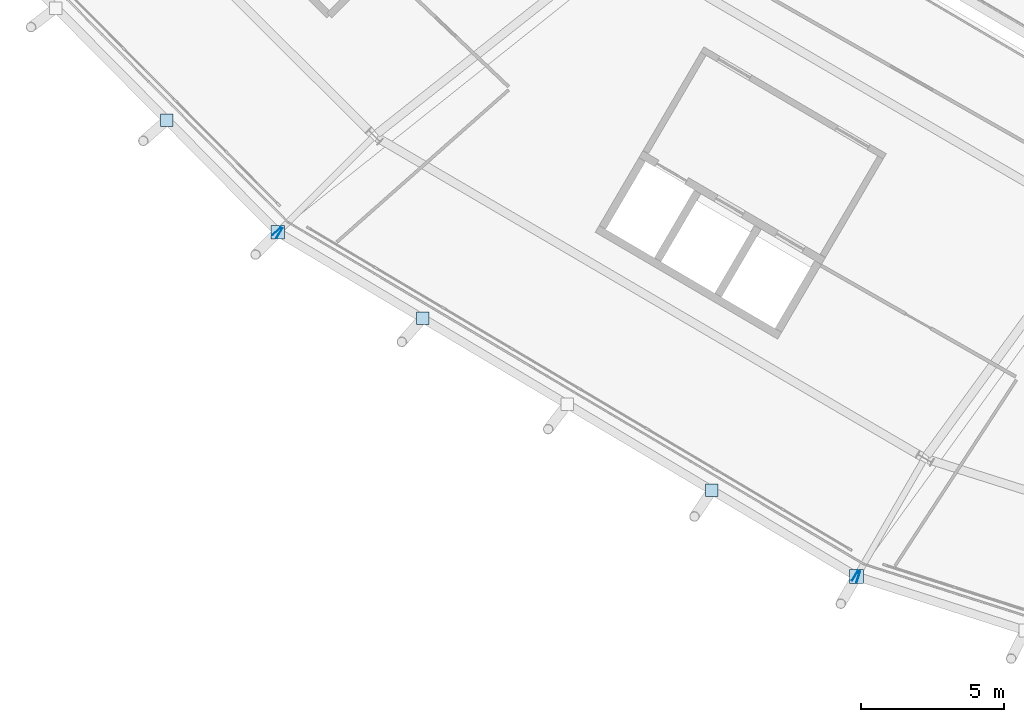
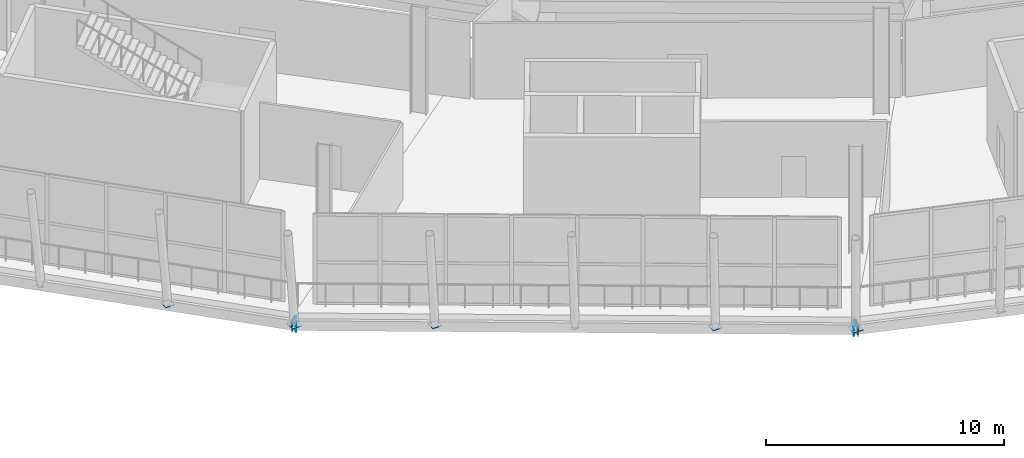
# One storey, part 73 of 126: 9 plates.
"""IFC4 building model written with IfcOpenShell, lengths in metres."""

import ifcopenshell
import ifcopenshell.guid

model = None  # the IFC model being written
_history = None  # IfcOwnerHistory: only IFC2X3 demands one
_inside = {}  # id of a spatial element -> (the spatial element, [elements in it])
_under = {}  # id of a project, library or spatial element -> (it, [spatial elements below it])
_declared = {}  # id of a project -> (the project, [libraries it declares])
_typed = {}  # id of a type object -> (the type object, [elements of that type])
_made_of = {}  # id of a material, layer set ... -> (it, [elements and type objects made of it])


def new_model(schema):
    """Start an empty IFC model of exactly this schema.

    Asked for "IFC4X3", IfcOpenShell would pick the latest addendum, in which some entities
    have other attributes; the version numbers below select the first issue.
    IFC2X3 requires an IfcOwnerHistory on every rooted entity: one is made here for all.
    """
    global model, _history
    if schema == "IFC4X3":
        model = ifcopenshell.file(schema_version=(4, 3, 0, 0))
    else:
        model = ifcopenshell.file(schema=schema)
    _inside.clear()
    _under.clear()
    _declared.clear()
    _typed.clear()
    _made_of.clear()
    _history = None
    if model.schema == "IFC2X3":
        org = make("IfcOrganization", Name="unknown")
        user = make(
            "IfcPersonAndOrganization",
            ThePerson=make("IfcPerson", FamilyName="unknown"),
            TheOrganization=org,
        )
        app = make(
            "IfcApplication",
            ApplicationDeveloper=org,
            Version="unknown",
            ApplicationFullName="unknown",
            ApplicationIdentifier="unknown",
        )
        _history = make(
            "IfcOwnerHistory",
            OwningUser=user,
            OwningApplication=app,
            ChangeAction="ADDED",
            CreationDate=0,
        )
    return model


def make(cls, **values):
    """One entity of the class cls with the attributes given. An attribute that is None is left unset."""
    return model.create_entity(
        cls, **{name: value for name, value in values.items() if value is not None}
    )


def rooted(cls, **values):
    """An entity with a GlobalId (a new one), such as an element, a storey or a relation."""
    return make(cls, GlobalId=ifcopenshell.guid.new(), OwnerHistory=_history, **values)


def si_unit(unit_type, name, prefix=None):
    """IfcSIUnit, for example si_unit("LENGTHUNIT", "METRE", prefix="MILLI")."""
    return make("IfcSIUnit", UnitType=unit_type, Prefix=prefix, Name=name)


def assignment(units):
    """IfcUnitAssignment: the units of a project."""
    return None if units is None else make("IfcUnitAssignment", Units=units)


def point(xyz):
    """IfcCartesianPoint."""
    return None if xyz is None else make("IfcCartesianPoint", Coordinates=xyz)


def direction(xyz):
    """IfcDirection."""
    return None if xyz is None else make("IfcDirection", DirectionRatios=xyz)


def frame(location, z_axis=None, x_axis=None):
    """IfcAxis2Placement3D, a coordinate frame: its origin and axes. An axis left out is left unset."""
    return make(
        "IfcAxis2Placement3D",
        Location=point(location),
        Axis=direction(z_axis),
        RefDirection=direction(x_axis),
    )


def frame_2d(location, x_axis=None):
    """IfcAxis2Placement2D, a coordinate frame in the plane: its origin and x axis."""
    return make(
        "IfcAxis2Placement2D", Location=point(location), RefDirection=direction(x_axis)
    )


def origin():
    """The frame at (0, 0, 0) with its axes left unset."""
    return frame((0.0, 0.0, 0.0))


def origin_2d():
    """The frame at (0, 0) in the plane with its x axis left unset."""
    return frame_2d((0.0, 0.0))


def place(relative_to, where):
    """IfcLocalPlacement: puts the frame where relative to a parent placement (None: the world)."""
    return make(
        "IfcLocalPlacement", PlacementRelTo=relative_to, RelativePlacement=where
    )


def context(
    kind, dimensions, precision=None, world=None, true_north=None, identifier=None
):
    """IfcGeometricRepresentationContext, for example the 3D "Model" context."""
    return make(
        "IfcGeometricRepresentationContext",
        ContextIdentifier=identifier,
        ContextType=kind,
        CoordinateSpaceDimension=dimensions,
        Precision=precision,
        WorldCoordinateSystem=world,
        TrueNorth=true_north,
    )


def subcontext(parent, identifier, kind, view, scale=None):
    """IfcGeometricRepresentationSubContext, for example "Body" below "Model"."""
    return make(
        "IfcGeometricRepresentationSubContext",
        ContextIdentifier=identifier,
        ContextType=kind,
        ParentContext=parent,
        TargetScale=scale,
        TargetView=view,
    )


def project(units=None, contexts=None):
    """IfcProject with its units and contexts."""
    return rooted(
        "IfcProject",
        Name="project",
        RepresentationContexts=contexts,
        UnitsInContext=assignment(units),
    )


def spatial(cls, under=None, at=None, **own):
    """A site, building, storey or space (cls), placed at a placement, below another one or the project."""
    s = rooted(cls, ObjectPlacement=at, **own)
    if under is not None:
        _under.setdefault(under.id(), (under, []))[1].append(s)
    return s


def profile(cls, at=None, kind="AREA", **sizes):
    """A parametric profile (cls). Its sizes go by their IFC names, for example OverallWidth=200.0."""
    return make(cls, ProfileType=kind, Position=at, **sizes)


def rectangle(**sizes):
    """IfcRectangleProfileDef."""
    return profile("IfcRectangleProfileDef", **sizes)


def extrude(swept, where, along, depth):
    """IfcExtrudedAreaSolid: the profile swept, set in the frame where, extruded along a direction by depth."""
    return make(
        "IfcExtrudedAreaSolid",
        SweptArea=swept,
        Position=where,
        ExtrudedDirection=direction(along),
        Depth=depth,
    )


def shape(context_of_items, identifier, shape_type, items):
    """IfcShapeRepresentation: the items that make up one representation, for example the "Body"."""
    return make(
        "IfcShapeRepresentation",
        ContextOfItems=context_of_items,
        RepresentationIdentifier=identifier,
        RepresentationType=shape_type,
        Items=items,
    )


def material(Name=None, Category=None):
    """IfcMaterial."""
    return make("IfcMaterial", Name=Name, Category=Category)


def layer(
    of_material, thickness, ventilated=None, Name=None, Category=None, Priority=None
):
    """IfcMaterialLayer: one layer of a wall or slab, of a material (None: an air gap)."""
    return make(
        "IfcMaterialLayer",
        Material=of_material,
        LayerThickness=thickness,
        IsVentilated=ventilated,
        Name=Name,
        Category=Category,
        Priority=Priority,
    )


def layer_set(layers, Name=None):
    """IfcMaterialLayerSet."""
    return make("IfcMaterialLayerSet", MaterialLayers=layers, LayerSetName=Name)


def made_of(thing, what):
    """Note that an element or type object is made of a material, layer set ...; save() writes the relation."""
    if what is not None:
        _made_of.setdefault(what.id(), (what, []))[1].append(thing)
    return thing


def type_object(cls, material=None, **own):
    """A type object (cls), such as IfcWallType, which elements share."""
    return made_of(rooted(cls, **own), material)


def element(
    cls,
    number,
    at=None,
    inside=None,
    cuts=None,
    type_object=None,
    material=None,
    context=None,
    identifier="Body",
    shape_type=None,
    held_by="IfcProductDefinitionShape",
    body=None,
    shapes=None,
    **own,
):
    """One element of the class cls, such as IfcWall. Its Tag is "e" and its number.

    at: its placement. inside: the storey or other place that contains it. cuts: it is an
    opening in that element (IfcRelVoidsElement). A single representation is given by context,
    identifier, shape_type and body (its items); several are given by shapes. held_by: the class
    of the entity that holds the representations. save() writes the other relations.
    """
    e = rooted(cls, Tag="e%d" % number, ObjectPlacement=at, **own)
    if body is not None:
        shapes = [shape(context, identifier, shape_type, body)]
    if shapes is not None:
        e.Representation = make(held_by, Representations=shapes)
    if inside is not None:
        _inside.setdefault(inside.id(), (inside, []))[1].append(e)
    if cuts is not None:
        rooted(
            "IfcRelVoidsElement", RelatingBuildingElement=cuts, RelatedOpeningElement=e
        )
    if type_object is not None:
        _typed.setdefault(type_object.id(), (type_object, []))[1].append(e)
    return made_of(e, material)


def aggregate(whole, parts):
    """IfcRelAggregates: a whole, such as a stair, and the parts it consists of."""
    return rooted("IfcRelAggregates", RelatingObject=whole, RelatedObjects=parts)


def save(model, path):
    """Write the relations noted so far, then the file.

    IfcRelAggregates (storeys below a building ...), IfcRelContainedInSpatialStructure (elements
    in a storey), IfcRelDefinesByType, IfcRelAssociatesMaterial and IfcRelDeclares: one each for
    every whole, place, type object, material and project.
    """
    for whole, parts in _under.values():
        aggregate(whole, parts)
    for where, things in _inside.values():
        rooted(
            "IfcRelContainedInSpatialStructure",
            RelatedElements=things,
            RelatingStructure=where,
        )
    for kind, things in _typed.values():
        rooted("IfcRelDefinesByType", RelatedObjects=things, RelatingType=kind)
    for what, things in _made_of.values():
        rooted("IfcRelAssociatesMaterial", RelatedObjects=things, RelatingMaterial=what)
    for by, libraries in _declared.values():
        rooted("IfcRelDeclares", RelatingContext=by, RelatedDefinitions=libraries)
    model.write(path)


model = new_model("IFC4")

# Units and contexts
model_context = context("Model", 3, precision=1e-05, world=origin(), true_north=direction((0.0, 1.0)))
body_context = subcontext(model_context, "Body", "Model", "MODEL_VIEW")
ifc_project = project(units=[si_unit("LENGTHUNIT", "METRE"), si_unit("AREAUNIT", "SQUARE_METRE"), si_unit("VOLUMEUNIT", "CUBIC_METRE"), si_unit("PLANEANGLEUNIT", "RADIAN"), si_unit("MASSUNIT", "GRAM", prefix="KILO")], contexts=[model_context])

# Site, building, storey
site_placement = place(None, origin())
site = spatial("IfcSite", under=ifc_project, at=site_placement, CompositionType="ELEMENT")
building_placement = place(site_placement, origin())
building = spatial("IfcBuilding", under=site, at=building_placement, Name="Zlatoyarsky Gate Stadium", CompositionType="ELEMENT")
storey_placement = place(building_placement, frame((0.0, 0.0, 20.800048828125)))
storey = spatial("IfcBuildingStorey", under=building, at=storey_placement, Name="L04", CompositionType="ELEMENT", Elevation=20.800048828125)

# Plates
ifc_material = material(Name="Steel S355", Category="steel")
ifc_layer = layer(ifc_material, 0.02392578125)
ifc_layer_set = layer_set([ifc_layer], Name="Steel S355")
plate_type = type_object("IfcPlateType", Name="STEEL HOLLOW CHORD SPLICE SHEET 24", PredefinedType="SHEET", material=ifc_layer_set)
for number, where, z_axis, x_axis, name in (
    (1, (41.82421875, 26.46533203125, -0.85009765625), (0.0, 0.0, 1.0), (0.703590883794, -0.71060528301, 0.0), "Hollow end cap ND-SP1 CAP-L04-SPD-14 B"),
    (2, (41.918212890625, 26.39208984375, -0.85009765625), (0.0, 0.0, 1.0), (0.859509176685, -0.511120313815, 0.0), "Hollow end cap ND-SP1 CAP-L04-SPD-15 A"),
    (3, (62.063720703125, 14.412353515625, -0.85009765625), (0.0, 0.0, 1.0), (0.859509176685, -0.511120313815, 0.0), "Hollow end cap ND-SP1 CAP-L04-SPD-15 B"),
):
    element("IfcPlate", number, at=place(storey_placement, frame(where, z_axis=z_axis, x_axis=x_axis)), inside=storey, type_object=plate_type, Name=name, PredefinedType="SHEET", context=body_context, shape_type="SweptSolid", body=[
        extrude(rectangle(XDim=0.02392578125, YDim=0.39990234375, at=origin_2d()), origin(), (0.0, 0.0, 1.0), 0.60009765625),
    ])
plate_1_placement = place(storey_placement, frame((41.866455078125, 26.4228515625, -0.612060546875), z_axis=(0.0, 0.0, 1.0), x_axis=(1.0, 0.0, 0.0)))
element("IfcPlate", 4, at=plate_1_placement, inside=storey, type_object=plate_type, Name="Node closure plate ND-SP1 NCAP-L04-RSTR-15", PredefinedType="SHEET", context=body_context, shape_type="SweptSolid", body=[
    extrude(rectangle(XDim=0.47998046875, YDim=0.47998046875, at=origin_2d()), origin(), (0.0, 0.0, 1.0), 0.02392578125),
])
plate_2_placement = place(storey_placement, frame((62.17236328125, 14.36328125, -0.85009765625), z_axis=(0.0, 0.0, 1.0), x_axis=(0.952145539472, -0.305645009225, 0.0)))
element("IfcPlate", 5, at=plate_2_placement, inside=storey, type_object=plate_type, Name="Hollow end cap ND-SP1 CAP-L04-SPD-16 A", PredefinedType="SHEET", context=body_context, shape_type="SweptSolid", body=[
    extrude(rectangle(XDim=0.02392578125, YDim=0.39990234375, at=origin_2d()), origin(), (0.0, 0.0, 1.0), 0.60009765625),
])
plate_3_placement = place(storey_placement, frame((62.115234375, 14.381591796875, -0.612060546875), z_axis=(0.0, 0.0, 1.0), x_axis=(1.0, 0.0, 0.0)))
element("IfcPlate", 6, at=plate_3_placement, inside=storey, type_object=plate_type, Name="Node closure plate ND-SP1 NCAP-L04-RSTR-16", PredefinedType="SHEET", context=body_context, shape_type="SweptSolid", body=[
    extrude(rectangle(XDim=0.47998046875, YDim=0.47998046875, at=origin_2d()), origin(), (0.0, 0.0, 1.0), 0.02392578125),
])
for number, where, z_axis, x_axis, name in (
    (7, (37.982177734375, 30.345947265625, -0.56201171875), (0.0, 0.0, 1.0), (1.0, 0.0, 0.0), "Node closure plate ND-SP1 NCAP-RIB-14-3-2T"),
    (8, (46.9287109375, 23.41259765625, -0.56201171875), (0.0, 0.0, 1.0), (1.0, 0.0, 0.0), "Node closure plate ND-SP1 NCAP-RIB-15-1-2T"),
    (9, (57.052978515625, 17.391845703125, -0.56201171875), (0.0, 0.0, 1.0), (1.0, 0.0, 0.0), "Node closure plate ND-SP1 NCAP-RIB-15-3-2T"),
):
    element("IfcPlate", number, at=place(storey_placement, frame(where, z_axis=z_axis, x_axis=x_axis)), inside=storey, type_object=plate_type, Name=name, PredefinedType="SHEET", context=body_context, shape_type="SweptSolid", body=[
        extrude(rectangle(XDim=0.43994140625, YDim=0.43994140625, at=origin_2d()), origin(), (0.0, 0.0, 1.0), 0.02392578125),
    ])

save(model, "model.ifc")
